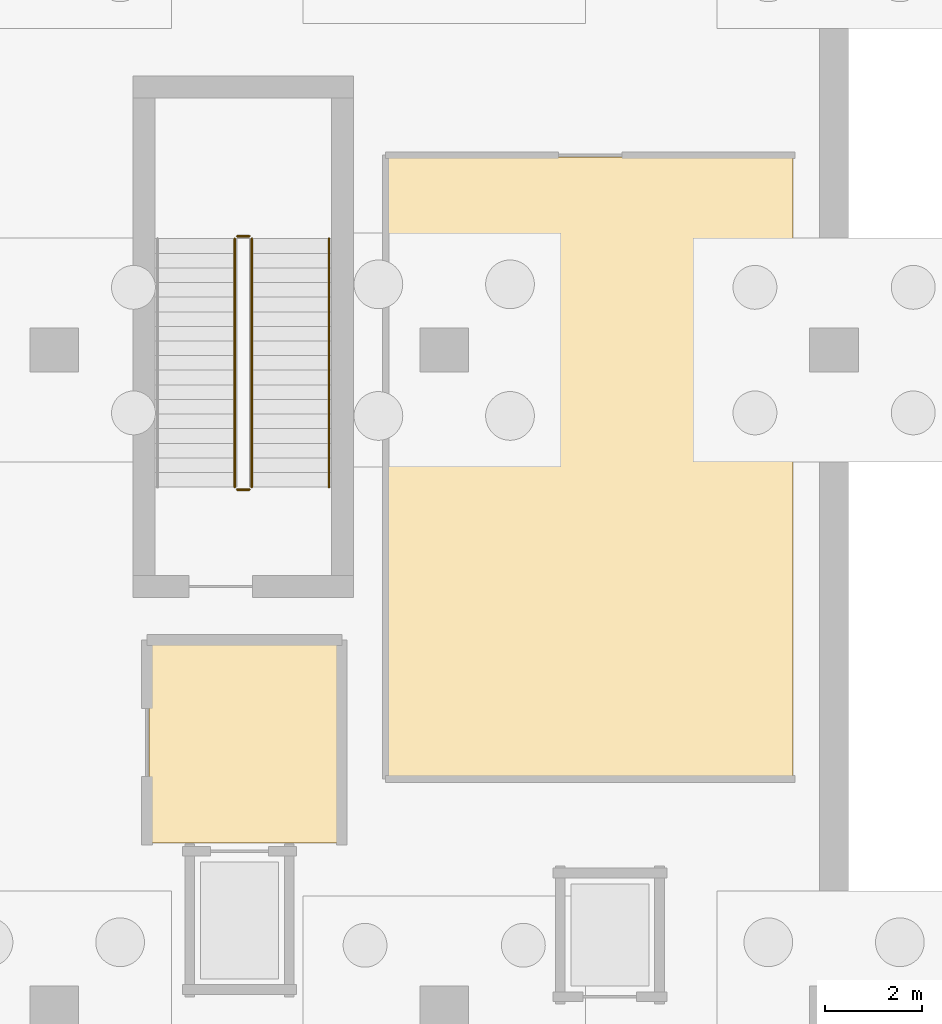
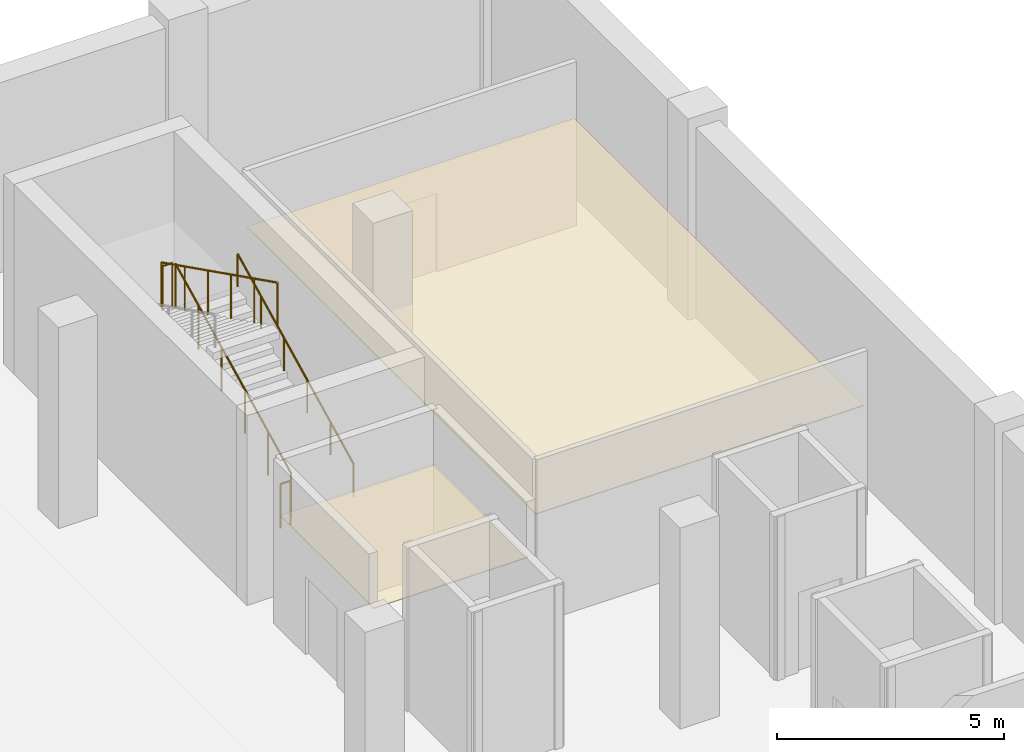
# One storey, part 25 of 26: 5 railings, 2 coverings.
"""IFC4 building model written with IfcOpenShell, lengths in metres."""

from ifc_helpers import new_model, si_unit, direction, frame, origin, origin_2d, place, context, subcontext, project, spatial, polyline, circle, outline, extrude, material, layer, layer_set, type_object, element, save


model = new_model("IFC4")

# Units and contexts
model_context = context("Model", 3, precision=1e-05, world=origin(), true_north=direction((0.0, 1.0)))
body_context = subcontext(model_context, "Body", "Model", "MODEL_VIEW")
ifc_project = project(units=[si_unit("LENGTHUNIT", "METRE"), si_unit("AREAUNIT", "SQUARE_METRE"), si_unit("VOLUMEUNIT", "CUBIC_METRE"), si_unit("PLANEANGLEUNIT", "RADIAN"), si_unit("MASSUNIT", "GRAM", prefix="KILO")], contexts=[model_context])

# Site, building, storey
site_placement = place(None, origin())
site = spatial("IfcSite", under=ifc_project, at=site_placement, CompositionType="ELEMENT")
building_placement = place(site_placement, origin())
building = spatial("IfcBuilding", under=site, at=building_placement, Name="Chuanluo Vaults Station", CompositionType="ELEMENT")
storey_placement = place(building_placement, frame((0.0, 0.0, -5.39990234375)))
storey = spatial("IfcBuildingStorey", under=building, at=storey_placement, Name="B1", CompositionType="ELEMENT", Elevation=-5.39990234375)

# Coverings
ifc_material_1 = material(Name="Acoustic mineral-fibre tile")
ifc_layer = layer(ifc_material_1, 0.02490234375)
ifc_layer_set = layer_set([ifc_layer], Name="Acoustic mineral-fibre tile")
covering_type = type_object("IfcCoveringType", Name="COV-CEIL-TILE", PredefinedType="CEILING", material=ifc_layer_set)
covering_1_placement = place(storey_placement, frame((0.0, 0.0, 2.849853515625)))
element("IfcCovering", 1, at=covering_1_placement, inside=storey, type_object=covering_type, Name="B1-23 suspended acoustic ceiling", PredefinedType="CEILING", context=body_context, shape_type="SweptSolid", body=[
    extrude(outline(polyline([(178.840087890625, 108.239990234375), (187.159912109375, 108.239990234375), (187.159912109375, 120.9599609375), (178.840087890625, 120.9599609375), (178.840087890625, 108.239990234375)])), origin(), (0.0, 0.0, 1.0), 0.025146484375),
])
covering_2_placement = place(storey_placement, frame((0.0, 0.0, 2.849853515625)))
element("IfcCovering", 2, at=covering_2_placement, inside=storey, type_object=covering_type, Name="B1-FFL-K2 suspended acoustic ceiling", PredefinedType="CEILING", context=body_context, shape_type="SweptSolid", body=[
    extrude(outline(polyline([(173.93994140625, 106.889892578125), (177.860107421875, 106.889892578125), (177.860107421875, 111.010009765625), (173.93994140625, 111.010009765625), (173.93994140625, 106.889892578125)])), origin(), (0.0, 0.0, 1.0), 0.025146484375),
])

# Railings
ifc_material_2 = material(Name="Tempered laminated balustrade glass", Category="glass")
railing_type_1 = type_object("IfcRailingType", Name="RLG-GUARD-1200", PredefinedType="BALUSTRADE", material=ifc_material_2)
railing_1_placement = place(storey_placement, frame((176.052490234375, 114.1875, 0.14990234375)))
element("IfcRailing", 3, at=railing_1_placement, inside=storey, type_object=railing_type_1, Name="B1 ST-02 stair guard 1", PredefinedType="BALUSTRADE", context=body_context, shape_type="SweptSolid", body=[
    extrude(circle(Radius=0.02392578125, at=origin_2d()), frame((0.0, 0.0, 1.17578125), z_axis=(0.0, 0.894427191, 0.4472135955), x_axis=(-1.0, 0.0, 0.0)), (0.0, 0.0, 1.0), 5.7021484375),
    extrude(circle(Radius=0.02099609375, at=origin_2d()), origin(), (0.0, 0.0, 1.0), 1.15185546875),
    extrude(circle(Radius=0.02099609375, at=origin_2d()), frame((0.0, 1.02001953125, 0.510009765625)), (0.0, 0.0, 1.0), 1.15185546875),
    extrude(circle(Radius=0.02099609375, at=origin_2d()), frame((0.0, 2.0400390625, 1.02001953125)), (0.0, 0.0, 1.0), 1.15185546875),
    extrude(circle(Radius=0.02099609375, at=origin_2d()), frame((0.0, 3.06005859375, 1.530029296875)), (0.0, 0.0, 1.0), 1.15185546875),
    extrude(circle(Radius=0.02099609375, at=origin_2d()), frame((0.0, 4.080078125, 2.0400390625)), (0.0, 0.0, 1.0), 1.15185546875),
    extrude(circle(Radius=0.02099609375, at=origin_2d()), frame((0.0, 5.10009765625, 2.550048828125)), (0.0, 0.0, 1.0), 1.15185546875),
])
railing_2_placement = place(storey_placement, frame((176.00244140625, 119.33740234375, 2.699951171875)))
element("IfcRailing", 4, at=railing_2_placement, inside=storey, type_object=railing_type_1, Name="B1 ST-02 stair guard 2", PredefinedType="BALUSTRADE", context=body_context, shape_type="SweptSolid", body=[
    extrude(circle(Radius=0.02392578125, at=origin_2d()), frame((0.0, 0.0, 1.17578125), z_axis=(-1.0, 0.0, 0.0), x_axis=(0.0, -1.0, 0.0)), (0.0, 0.0, 1.0), 0.25),
    extrude(circle(Radius=0.02099609375, at=origin_2d()), origin(), (0.0, 0.0, 1.0), 1.15185546875),
    extrude(circle(Radius=0.02099609375, at=origin_2d()), frame((-0.25, 0.0, 0.0)), (0.0, 0.0, 1.0), 1.15185546875),
])
railing_3_placement = place(storey_placement, frame((175.702392578125, 119.28759765625, 2.849853515625)))
element("IfcRailing", 5, at=railing_3_placement, inside=storey, type_object=railing_type_1, Name="B1 ST-02 stair guard 3", PredefinedType="BALUSTRADE", context=body_context, shape_type="SweptSolid", body=[
    extrude(circle(Radius=0.02392578125, at=origin_2d()), frame((0.0, 0.0, 1.17578125), z_axis=(0.0, -0.894427191, 0.4472135955), x_axis=(1.0, 0.0, 0.0)), (0.0, 0.0, 1.0), 5.7021484375),
    extrude(circle(Radius=0.02099609375, at=origin_2d()), origin(), (0.0, 0.0, 1.0), 1.15185546875),
    extrude(circle(Radius=0.02099609375, at=origin_2d()), frame((0.0, -1.02001953125, 0.510009765625)), (0.0, 0.0, 1.0), 1.15185546875),
    extrude(circle(Radius=0.02099609375, at=origin_2d()), frame((0.0, -2.0400390625, 1.02001953125)), (0.0, 0.0, 1.0), 1.15185546875),
    extrude(circle(Radius=0.02099609375, at=origin_2d()), frame((0.0, -3.06005859375, 1.530029296875)), (0.0, 0.0, 1.0), 1.15185546875),
    extrude(circle(Radius=0.02099609375, at=origin_2d()), frame((0.0, -4.080078125, 2.0400390625)), (0.0, 0.0, 1.0), 1.15185546875),
    extrude(circle(Radius=0.02099609375, at=origin_2d()), frame((0.0, -5.10009765625, 2.550048828125)), (0.0, 0.0, 1.0), 1.15185546875),
])
railing_4_placement = place(storey_placement, frame((176.00244140625, 114.137451171875, 0.0)))
element("IfcRailing", 6, at=railing_4_placement, inside=storey, type_object=railing_type_1, Name="B1 ST-02 stair guard 4", PredefinedType="BALUSTRADE", context=body_context, shape_type="SweptSolid", body=[
    extrude(circle(Radius=0.02392578125, at=origin_2d()), frame((0.0, 0.0, 1.17578125), z_axis=(-1.0, 0.0, 0.0), x_axis=(0.0, -1.0, 0.0)), (0.0, 0.0, 1.0), 0.25),
    extrude(circle(Radius=0.02099609375, at=origin_2d()), origin(), (0.0, 0.0, 1.0), 1.15185546875),
    extrude(circle(Radius=0.02099609375, at=origin_2d()), frame((-0.25, 0.0, 0.0)), (0.0, 0.0, 1.0), 1.15185546875),
])
ifc_material_3 = material(Name="Brushed stainless steel 304", Category="steel")
railing_type_2 = type_object("IfcRailingType", Name="RLG-HAND-900", PredefinedType="HANDRAIL", material=ifc_material_3)
railing_5_placement = place(storey_placement, frame((177.637451171875, 114.1875, 0.14990234375)))
element("IfcRailing", 7, at=railing_5_placement, inside=storey, type_object=railing_type_2, Name="B1 ST-02 stair handrail 1", PredefinedType="HANDRAIL", context=body_context, shape_type="SweptSolid", body=[
    extrude(circle(Radius=0.02392578125, at=origin_2d()), frame((0.0, 0.0, 0.8759765625), z_axis=(0.0, 0.894427191, 0.4472135955), x_axis=(-1.0, 0.0, 0.0)), (0.0, 0.0, 1.0), 5.7021484375),
    extrude(circle(Radius=0.02099609375, at=origin_2d()), origin(), (0.0, 0.0, 1.0), 0.851806640625),
    extrude(circle(Radius=0.02099609375, at=origin_2d()), frame((0.0, 1.02001953125, 0.510009765625)), (0.0, 0.0, 1.0), 0.851806640625),
    extrude(circle(Radius=0.02099609375, at=origin_2d()), frame((0.0, 2.0400390625, 1.02001953125)), (0.0, 0.0, 1.0), 0.851806640625),
    extrude(circle(Radius=0.02099609375, at=origin_2d()), frame((0.0, 3.06005859375, 1.530029296875)), (0.0, 0.0, 1.0), 0.851806640625),
    extrude(circle(Radius=0.02099609375, at=origin_2d()), frame((0.0, 4.080078125, 2.0400390625)), (0.0, 0.0, 1.0), 0.851806640625),
    extrude(circle(Radius=0.02099609375, at=origin_2d()), frame((0.0, 5.10009765625, 2.550048828125)), (0.0, 0.0, 1.0), 0.851806640625),
])

save(model, "model.ifc")
